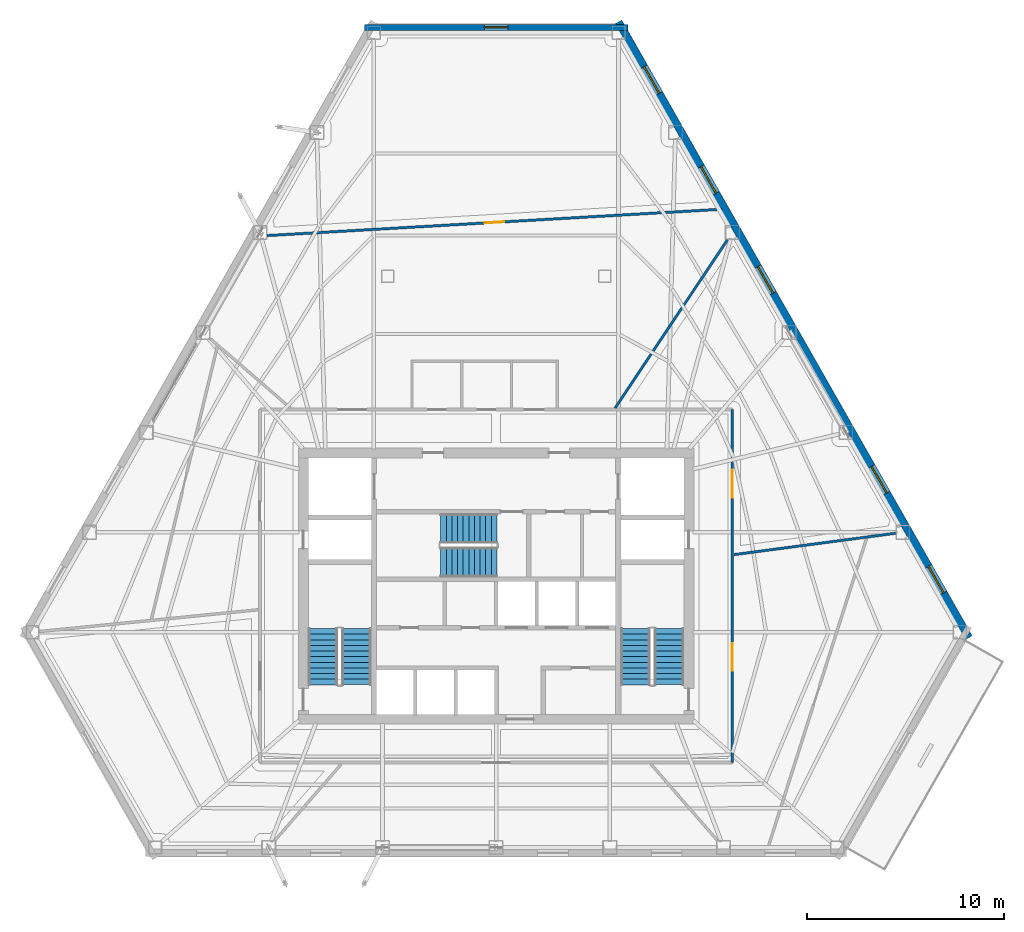
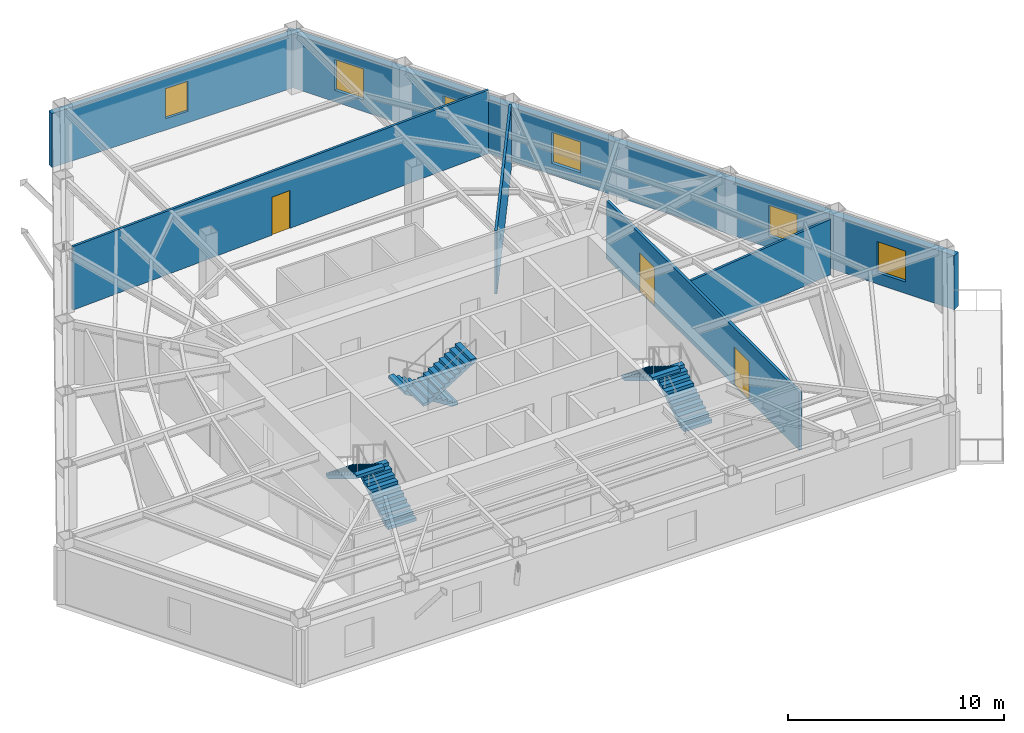
# One storey, part 9 of 12: 6 stair flights, 6 walls, 6 windows, 3 doors, 9 openings, 3 elements without a shape of their own.
"""IFC4 building model written with IfcOpenShell, lengths in metres."""

from ifc_helpers import new_model, si_unit, direction, frame, frame_2d, origin, place, context, subcontext, project, spatial, polyline, rectangle, outline, extrude, material, layer, layer_set, type_object, element, fill, aggregate, save


model = new_model("IFC4")

# Units and contexts
model_context = context("Model", 3, precision=1e-05, world=origin(), true_north=direction((0.0, 1.0)))
body_context = subcontext(model_context, "Body", "Model", "MODEL_VIEW")
ifc_project = project(units=[si_unit("LENGTHUNIT", "METRE"), si_unit("AREAUNIT", "SQUARE_METRE"), si_unit("VOLUMEUNIT", "CUBIC_METRE"), si_unit("PLANEANGLEUNIT", "RADIAN"), si_unit("MASSUNIT", "GRAM", prefix="KILO")], contexts=[model_context])

# Site, building, storey
site_placement = place(None, origin())
site = spatial("IfcSite", under=ifc_project, at=site_placement, CompositionType="ELEMENT")
building_placement = place(site_placement, origin())
building = spatial("IfcBuilding", under=site, at=building_placement, Name="Kavelnor Concourse Tower", CompositionType="ELEMENT")
storey_placement = place(building_placement, frame((0.0, 0.0, 93.199951171875)))
storey = spatial("IfcBuildingStorey", under=building, at=storey_placement, Name="L23", CompositionType="ELEMENT", Elevation=93.199951171875)

# Wall, opening, window
ifc_material_1 = material(Name="Buff ironspot clay face brick masonry", Category="masonry")
ifc_layer_1 = layer(ifc_material_1, 0.300048828125, Name="Buff ironspot clay face brick masonry")
ifc_layer_set_1 = layer_set([ifc_layer_1], Name="Buff ironspot clay face brick masonry")
wall_type_1 = type_object("IfcWallType", Name="WL-EXT-BUFF-BRICK-FOLD-300", PredefinedType="STANDARD", material=ifc_layer_set_1)
wall_1_placement = place(storey_placement, frame((31.3154296875, 44.41943359375, 0.0), z_axis=(0.0, 0.0, 1.0), x_axis=(1.0, 0.0, 0.0)))
wall_1 = element("IfcWall", 1, at=wall_1_placement, inside=storey, type_object=wall_type_1, Name="L23 Exterior Brick Facade Wall E0", PredefinedType="STANDARD", context=body_context, shape_type="SweptSolid", body=[
    extrude(rectangle(XDim=13.369140625, YDim=0.300048828125, at=frame_2d((6.6845703125, 0.0))), origin(), (0.0, 0.0, 1.0), 3.05908203125),
])
opening_1_placement = place(wall_1_placement, frame((6.08447265625, 0.0, 0.64990234375)))
opening_1 = element("IfcOpeningElement", 2, at=opening_1_placement, cuts=wall_1, Name="Opening W-05", PredefinedType="OPENING", context=body_context, shape_type="SweptSolid", body=[
    extrude(rectangle(XDim=1.199951171875, YDim=1.699951171875, at=frame_2d((0.60009765625, 0.85009765625))), frame((0.0, 0.16015625, 0.0), z_axis=(0.0, -1.0, 0.0), x_axis=(1.0, 0.0, 0.0)), (0.0, 0.0, 1.0), 0.320068359375),
])
ifc_material_2 = material(Name="Double low-E argon insulated glazing", Category="glass")
window_type_1 = type_object("IfcWindowType", Name="WIN-FOLD-1200", PartitioningType="SINGLE_PANEL", PredefinedType="WINDOW", material=ifc_material_2)
window_1_placement = place(opening_1_placement, origin())
window_1 = element("IfcWindow", 3, at=window_1_placement, inside=storey, type_object=window_type_1, Name="L23 Chamfer-Fold Facet Window C0", OverallHeight=1.699951171875, OverallWidth=1.199951171875, PartitioningType="SINGLE_PANEL", PredefinedType="WINDOW", context=body_context, shape_type="SweptSolid", body=[
    extrude(rectangle(XDim=1.199951171875, YDim=1.699951171875, at=frame_2d((0.60009765625, 0.85009765625))), frame((0.0, 0.030029296875, 0.0), z_axis=(0.0, -1.0, 0.0), x_axis=(1.0, 0.0, 0.0)), (0.0, 0.0, 1.0), 0.06005859375),
])
fill(opening_1, window_1)

# Wall, openings, windows
ifc_material_3 = material(Name="Red-ochre clay face brick masonry", Category="masonry")
ifc_layer_2 = layer(ifc_material_3, 0.3798828125, Name="Red-ochre clay face brick masonry")
ifc_layer_set_2 = layer_set([ifc_layer_2], Name="Red-ochre clay face brick masonry")
wall_type_2 = type_object("IfcWallType", Name="WL-EXT-RED-BRICK-PIER-380", PredefinedType="STANDARD", material=ifc_layer_set_2)
wall_2_placement = place(storey_placement, frame((44.203125, 44.699462890625, 0.0), z_axis=(0.0, 0.0, 1.0), x_axis=(0.494642620698, -0.869096472084, 0.0)))
wall_2 = element("IfcWall", 4, at=wall_2_placement, inside=storey, type_object=wall_type_2, Name="L23 Exterior Brick Facade Wall E5", PredefinedType="STANDARD", context=body_context, shape_type="SweptSolid", body=[
    extrude(rectangle(XDim=35.91552734375, YDim=0.3798828125, at=frame_2d((17.957763671875, 0.0))), origin(), (0.0, 0.0, 1.0), 3.05908203125),
])
opening_2_placement = place(wall_2_placement, frame((31.753662109375, 0.0, 0.64990234375)))
opening_2 = element("IfcOpeningElement", 5, at=opening_2_placement, cuts=wall_2, Name="Opening W-02", PredefinedType="OPENING", context=body_context, shape_type="SweptSolid", body=[
    extrude(rectangle(XDim=1.550048828125, YDim=1.75, at=frame_2d((0.77490234375, 0.875))), frame((0.0, 0.199951171875, 0.0), z_axis=(0.0, -1.0, 0.0), x_axis=(1.0, 0.0, 0.0)), (0.0, 0.0, 1.0), 0.39990234375),
])
opening_3_placement = place(wall_2_placement, frame((25.926513671875, 0.0, 0.64990234375)))
opening_3 = element("IfcOpeningElement", 6, at=opening_3_placement, cuts=wall_2, Name="Opening W-02", PredefinedType="OPENING", context=body_context, shape_type="SweptSolid", body=[
    extrude(rectangle(XDim=1.550048828125, YDim=1.75, at=frame_2d((0.77490234375, 0.875))), frame((0.0, 0.199951171875, 0.0), z_axis=(0.0, -1.0, 0.0), x_axis=(1.0, 0.0, 0.0)), (0.0, 0.0, 1.0), 0.39990234375),
])
opening_4_placement = place(wall_2_placement, frame((14.272216796875, 0.0, 0.64990234375)))
opening_4 = element("IfcOpeningElement", 7, at=opening_4_placement, cuts=wall_2, Name="Opening W-02", PredefinedType="OPENING", context=body_context, shape_type="SweptSolid", body=[
    extrude(rectangle(XDim=1.550048828125, YDim=1.75, at=frame_2d((0.77490234375, 0.875))), frame((0.0, 0.199951171875, 0.0), z_axis=(0.0, -1.0, 0.0), x_axis=(1.0, 0.0, 0.0)), (0.0, 0.0, 1.0), 0.39990234375),
])
opening_5_placement = place(wall_2_placement, frame((8.44482421875, 0.0, 0.64990234375)))
opening_5 = element("IfcOpeningElement", 8, at=opening_5_placement, cuts=wall_2, Name="Opening W-02", PredefinedType="OPENING", context=body_context, shape_type="SweptSolid", body=[
    extrude(rectangle(XDim=1.550048828125, YDim=1.75, at=frame_2d((0.77490234375, 0.875))), frame((0.0, 0.199951171875, 0.0), z_axis=(0.0, -1.0, 0.0), x_axis=(1.0, 0.0, 0.0)), (0.0, 0.0, 1.0), 0.39990234375),
])
opening_6_placement = place(wall_2_placement, frame((2.61767578125, 0.0, 0.64990234375)))
opening_6 = element("IfcOpeningElement", 9, at=opening_6_placement, cuts=wall_2, Name="Opening W-02", PredefinedType="OPENING", context=body_context, shape_type="SweptSolid", body=[
    extrude(rectangle(XDim=1.550048828125, YDim=1.75, at=frame_2d((0.77490234375, 0.875))), frame((0.0, 0.199951171875, 0.0), z_axis=(0.0, -1.0, 0.0), x_axis=(1.0, 0.0, 0.0)), (0.0, 0.0, 1.0), 0.39990234375),
])
window_type_2 = type_object("IfcWindowType", Name="WIN-PIER-Z2-1650", PartitioningType="SINGLE_PANEL", PredefinedType="WINDOW", material=ifc_material_2)
window_2_placement = place(opening_2_placement, origin())
window_2 = element("IfcWindow", 10, at=window_2_placement, inside=storey, type_object=window_type_2, Name="L23 Deep-Set Brick Pier Window F2-B0", OverallHeight=1.75, OverallWidth=1.550048828125, PartitioningType="SINGLE_PANEL", PredefinedType="WINDOW", context=body_context, shape_type="SweptSolid", body=[
    extrude(rectangle(XDim=1.550048828125, YDim=1.75, at=frame_2d((0.77490234375, 0.875))), frame((0.0, 0.030029296875, 0.0), z_axis=(0.0, -1.0, 0.0), x_axis=(1.0, 0.0, 0.0)), (0.0, 0.0, 1.0), 0.06005859375),
])
fill(opening_2, window_2)
window_3_placement = place(opening_3_placement, origin())
window_3 = element("IfcWindow", 11, at=window_3_placement, inside=storey, type_object=window_type_2, Name="L23 Deep-Set Brick Pier Window F2-B1", OverallHeight=1.75, OverallWidth=1.550048828125, PartitioningType="SINGLE_PANEL", PredefinedType="WINDOW", context=body_context, shape_type="SweptSolid", body=[
    extrude(rectangle(XDim=1.550048828125, YDim=1.75, at=frame_2d((0.77490234375, 0.875))), frame((0.0, 0.030029296875, 0.0), z_axis=(0.0, -1.0, 0.0), x_axis=(1.0, 0.0, 0.0)), (0.0, 0.0, 1.0), 0.06005859375),
])
fill(opening_3, window_3)
window_4_placement = place(opening_4_placement, origin())
window_4 = element("IfcWindow", 12, at=window_4_placement, inside=storey, type_object=window_type_2, Name="L23 Deep-Set Brick Pier Window F2-B3", OverallHeight=1.75, OverallWidth=1.550048828125, PartitioningType="SINGLE_PANEL", PredefinedType="WINDOW", context=body_context, shape_type="SweptSolid", body=[
    extrude(rectangle(XDim=1.550048828125, YDim=1.75, at=frame_2d((0.77490234375, 0.875))), frame((0.0, 0.030029296875, 0.0), z_axis=(0.0, -1.0, 0.0), x_axis=(1.0, 0.0, 0.0)), (0.0, 0.0, 1.0), 0.06005859375),
])
fill(opening_4, window_4)
window_5_placement = place(opening_5_placement, origin())
window_5 = element("IfcWindow", 13, at=window_5_placement, inside=storey, type_object=window_type_2, Name="L23 Deep-Set Brick Pier Window F2-B4", OverallHeight=1.75, OverallWidth=1.550048828125, PartitioningType="SINGLE_PANEL", PredefinedType="WINDOW", context=body_context, shape_type="SweptSolid", body=[
    extrude(rectangle(XDim=1.550048828125, YDim=1.75, at=frame_2d((0.77490234375, 0.875))), frame((0.0, 0.030029296875, 0.0), z_axis=(0.0, -1.0, 0.0), x_axis=(1.0, 0.0, 0.0)), (0.0, 0.0, 1.0), 0.06005859375),
])
fill(opening_5, window_5)
window_6_placement = place(opening_6_placement, origin())
window_6 = element("IfcWindow", 14, at=window_6_placement, inside=storey, type_object=window_type_2, Name="L23 Deep-Set Brick Pier Window F2-B5", OverallHeight=1.75, OverallWidth=1.550048828125, PartitioningType="SINGLE_PANEL", PredefinedType="WINDOW", context=body_context, shape_type="SweptSolid", body=[
    extrude(rectangle(XDim=1.550048828125, YDim=1.75, at=frame_2d((0.77490234375, 0.875))), frame((0.0, 0.030029296875, 0.0), z_axis=(0.0, -1.0, 0.0), x_axis=(1.0, 0.0, 0.0)), (0.0, 0.0, 1.0), 0.06005859375),
])
fill(opening_6, window_6)

# Wall, openings, doors
ifc_material_4 = material(Name="Gypsum plasterboard on light-gauge steel studs", Category="steel")
ifc_layer_3 = layer(ifc_material_4, 0.14501953125, Name="Gypsum plasterboard on light-gauge steel studs")
ifc_layer_set_3 = layer_set([ifc_layer_3], Name="Gypsum plasterboard on light-gauge steel studs")
wall_type_3 = type_object("IfcWallType", Name="WL-INT-CORR-145", PredefinedType="PARTITIONING", material=ifc_layer_set_3)
wall_3_placement = place(storey_placement, frame((49.969970703125, 7.14990234375, 0.0), z_axis=(0.0, 0.0, 1.0), x_axis=(0.0, 1.0, 0.0)))
wall_3 = element("IfcWall", 15, at=wall_3_placement, inside=storey, type_object=wall_type_3, Name="L23 Corridor Wall WL-L23-CR-01", PredefinedType="PARTITIONING", context=body_context, shape_type="SweptSolid", body=[
    extrude(rectangle(XDim=17.900146484375, YDim=0.14501953125, at=frame_2d((8.9501953125, 0.0))), origin(), (0.0, 0.0, 1.0), 3.2880859375),
])
opening_7_placement = place(wall_3_placement, frame((13.43701171875, 0.0, 0.0)))
opening_7 = element("IfcOpeningElement", 16, at=opening_7_placement, cuts=wall_3, Name="Opening SD-140", PredefinedType="OPENING", context=body_context, shape_type="SweptSolid", body=[
    extrude(rectangle(XDim=1.39990234375, YDim=2.199951171875, at=frame_2d((0.699951171875, 1.10009765625))), frame((0.0, 0.08251953125, 0.0), z_axis=(0.0, -1.0, 0.0), x_axis=(1.0, 0.0, 0.0)), (0.0, 0.0, 1.0), 0.1650390625),
])
opening_8_placement = place(wall_3_placement, frame((4.65771484375, 0.0, 0.0)))
opening_8 = element("IfcOpeningElement", 17, at=opening_8_placement, cuts=wall_3, Name="Opening SD-140", PredefinedType="OPENING", context=body_context, shape_type="SweptSolid", body=[
    extrude(rectangle(XDim=1.39990234375, YDim=2.199951171875, at=frame_2d((0.699951171875, 1.10009765625))), frame((0.0, 0.08251953125, 0.0), z_axis=(0.0, -1.0, 0.0), x_axis=(1.0, 0.0, 0.0)), (0.0, 0.0, 1.0), 0.1650390625),
])
ifc_material_5 = material(Name="Solid-core hardwood timber", Category="wood")
door_type_1 = type_object("IfcDoorType", Name="DR-SUITE-ENTRY-1400", OperationType="NOTDEFINED", PredefinedType="DOOR", material=ifc_material_5)
door_1_placement = place(opening_7_placement, origin())
door_1 = element("IfcDoor", 18, at=door_1_placement, inside=storey, type_object=door_type_1, Name="L23 Building Staff Breakroom 01 Door", OperationType="SINGLE_SWING_LEFT", OverallHeight=2.199951171875, OverallWidth=1.39990234375, PredefinedType="DOOR", context=body_context, shape_type="SweptSolid", body=[
    extrude(rectangle(XDim=1.39990234375, YDim=2.199951171875, at=frame_2d((0.699951171875, 1.10009765625))), frame((0.0, 0.02490234375, 0.0), z_axis=(0.0, -1.0, 0.0), x_axis=(1.0, 0.0, 0.0)), (0.0, 0.0, 1.0), 0.050048828125),
])
fill(opening_7, door_1)
door_2_placement = place(opening_8_placement, origin())
door_2 = element("IfcDoor", 19, at=door_2_placement, inside=storey, type_object=door_type_1, Name="L23 Tenant Bookstore Retail Shop 08 Door", OperationType="SINGLE_SWING_RIGHT", OverallHeight=2.199951171875, OverallWidth=1.39990234375, PredefinedType="DOOR", context=body_context, shape_type="SweptSolid", body=[
    extrude(rectangle(XDim=1.39990234375, YDim=2.199951171875, at=frame_2d((0.699951171875, 1.10009765625))), frame((0.0, 0.02490234375, 0.0), z_axis=(0.0, -1.0, 0.0), x_axis=(1.0, 0.0, 0.0)), (0.0, 0.0, 1.0), 0.050048828125),
])
fill(opening_8, door_2)

# Walls
ifc_layer_4 = layer(ifc_material_4, 0.125, Name="Gypsum plasterboard on light-gauge steel studs")
ifc_layer_set_4 = layer_set([ifc_layer_4], Name="Gypsum plasterboard on light-gauge steel studs")
wall_type_4 = type_object("IfcWallType", Name="WL-INT-SUITE-125", PredefinedType="PARTITIONING", material=ifc_layer_set_4)
wall_4_placement = place(storey_placement, frame((50.050537109375, 17.694091796875, 0.0), z_axis=(0.0, 0.0, 1.0), x_axis=(0.991361202235, 0.131160080446, 0.0)))
element("IfcWall", 20, at=wall_4_placement, inside=storey, type_object=wall_type_4, Name="L23 Radial Suite Partition 01", PredefinedType="PARTITIONING", context=body_context, shape_type="SweptSolid", body=[
    extrude(rectangle(XDim=8.270263671875, YDim=0.125, at=frame_2d((4.13525390625, 0.0))), origin(), (0.0, 0.0, 1.0), 3.14111328125),
])
wall_5_placement = place(storey_placement, frame((44.031982421875, 25.130615234375, 0.0), z_axis=(0.0, 0.0, 1.0), x_axis=(0.555447635276, 0.831551516424, 0.0)))
element("IfcWall", 21, at=wall_5_placement, inside=storey, type_object=wall_type_4, Name="L23 Radial Suite Partition 02", PredefinedType="PARTITIONING", context=body_context, shape_type="SweptSolid", body=[
    extrude(rectangle(XDim=10.248291015625, YDim=0.125, at=frame_2d((5.1240234375, 0.0))), origin(), (0.0, 0.0, 1.0), 3.60009765625),
])

# Wall, opening, door
wall_6_placement = place(storey_placement, frame((49.435791015625, 35.2021484375, 0.0), z_axis=(0.0, 0.0, 1.0), x_axis=(-0.998321077016, -0.057922596506, 0.0)))
wall_6 = element("IfcWall", 22, at=wall_6_placement, inside=storey, type_object=wall_type_4, Name="L23 Suite Subdivision Partition 02", PredefinedType="PARTITIONING", context=body_context, shape_type="SweptSolid", body=[
    extrude(rectangle(XDim=23.076904296875, YDim=0.125, at=frame_2d((11.53857421875, 0.0))), origin(), (0.0, 0.0, 1.0), 3.60009765625),
])
opening_9_placement = place(wall_6_placement, frame((11.04833984375, 0.0, 0.0)))
opening_9 = element("IfcOpeningElement", 23, at=opening_9_placement, cuts=wall_6, Name="Opening OD-098", PredefinedType="OPENING", context=body_context, shape_type="SweptSolid", body=[
    extrude(rectangle(XDim=0.97998046875, YDim=2.14990234375, at=frame_2d((0.489990234375, 1.074951171875))), frame((0.0, 0.072509765625, 0.0), z_axis=(0.0, -1.0, 0.0), x_axis=(1.0, 0.0, 0.0)), (0.0, 0.0, 1.0), 0.14501953125),
])
door_type_2 = type_object("IfcDoorType", Name="DR-OFFICE-980", OperationType="NOTDEFINED", PredefinedType="DOOR", material=ifc_material_5)
door_3_placement = place(opening_9_placement, origin())
door_3 = element("IfcDoor", 24, at=door_3_placement, inside=storey, type_object=door_type_2, Name="L23 Executive Dining Room 03 Door", OperationType="SINGLE_SWING_LEFT", OverallHeight=2.14990234375, OverallWidth=0.97998046875, PredefinedType="DOOR", context=body_context, shape_type="SweptSolid", body=[
    extrude(rectangle(XDim=0.97998046875, YDim=2.14990234375, at=frame_2d((0.489990234375, 1.074951171875))), frame((0.0, 0.02490234375, 0.0), z_axis=(0.0, -1.0, 0.0), x_axis=(1.0, 0.0, 0.0)), (0.0, 0.0, 1.0), 0.050048828125),
])
fill(opening_9, door_3)

# Stair, stair flights
ifc_material_6 = material(Name="Concrete C40/50", Category="concrete")
stair_type = type_object("IfcStairType", Name="STR-CORE-1500", PredefinedType="HALF_TURN_STAIR", material=ifc_material_6)
stair_1_placement = place(storey_placement, origin())
stair_1 = element("IfcStair", 25, at=stair_1_placement, inside=storey, type_object=stair_type, Name="L23 ST1", PredefinedType="HALF_TURN_STAIR")
stair_flight_type = type_object("IfcStairFlightType", Name="STR-FLIGHT-1500", PredefinedType="STRAIGHT", material=ifc_material_6)
stair_flight_1_placement = place(storey_placement, frame((30.929931640625, 11.10009765625, 0.0), z_axis=(0.0, 0.0, 1.0), x_axis=(0.0, 1.0, 0.0)))
stair_flight_1 = element("IfcStairFlight", 26, at=stair_flight_1_placement, type_object=stair_flight_type, Name="ST1 flight 1", NumberOfRisers=11, NumberOfTreads=10, PredefinedType="STRAIGHT", RiserHeight=0.175, TreadLength=0.285, context=body_context, shape_type="SweptSolid", body=[
    extrude(outline(polyline([(0.0, 0.0), (0.0, 0.175048828125), (0.284912109375, 0.175048828125), (0.284912109375, 0.35009765625), (0.570068359375, 0.35009765625), (0.570068359375, 0.52490234375), (0.85498046875, 0.52490234375), (0.85498046875, 0.699951171875), (1.139892578125, 0.699951171875), (1.139892578125, 0.875), (1.425048828125, 0.875), (1.425048828125, 1.050048828125), (1.7099609375, 1.050048828125), (1.7099609375, 1.22509765625), (1.9951171875, 1.22509765625), (1.9951171875, 1.39990234375), (2.280029296875, 1.39990234375), (2.280029296875, 1.574951171875), (2.56494140625, 1.574951171875), (2.56494140625, 1.75), (2.85009765625, 1.75), (2.85009765625, 1.925048828125), (2.85009765625, 1.573974609375), (0.286376953125, 0.0), (0.0, 0.0)])), frame((0.0, 0.75, 0.0), z_axis=(0.0, -1.0, 0.0), x_axis=(1.0, 0.0, 0.0)), (0.0, 0.0, 1.0), 1.5),
])
stair_flight_2_placement = place(storey_placement, frame((29.22998046875, 13.949951171875, 1.925048828125), z_axis=(0.0, 0.0, 1.0), x_axis=(0.0, -1.0, 0.0)))
stair_flight_2 = element("IfcStairFlight", 27, at=stair_flight_2_placement, type_object=stair_flight_type, Name="ST1 flight 2", NumberOfRisers=11, NumberOfTreads=10, PredefinedType="STRAIGHT", RiserHeight=0.175, TreadLength=0.285, context=body_context, shape_type="SweptSolid", body=[
    extrude(outline(polyline([(0.0, 0.0), (0.0, 0.175048828125), (0.284912109375, 0.175048828125), (0.284912109375, 0.35009765625), (0.570068359375, 0.35009765625), (0.570068359375, 0.52490234375), (0.85498046875, 0.52490234375), (0.85498046875, 0.699951171875), (1.139892578125, 0.699951171875), (1.139892578125, 0.875), (1.425048828125, 0.875), (1.425048828125, 1.050048828125), (1.7099609375, 1.050048828125), (1.7099609375, 1.22509765625), (1.9951171875, 1.22509765625), (1.9951171875, 1.39990234375), (2.280029296875, 1.39990234375), (2.280029296875, 1.574951171875), (2.56494140625, 1.574951171875), (2.56494140625, 1.75), (2.85009765625, 1.75), (2.85009765625, 1.925048828125), (2.85009765625, 1.573974609375), (0.286376953125, 0.0), (0.0, 0.0)])), frame((0.0, 0.75, 0.0), z_axis=(0.0, -1.0, 0.0), x_axis=(1.0, 0.0, 0.0)), (0.0, 0.0, 1.0), 1.5),
])
aggregate(stair_1, [stair_flight_1, stair_flight_2])

stair_2_placement = place(storey_placement, origin())
stair_2 = element("IfcStair", 28, at=stair_2_placement, inside=storey, type_object=stair_type, Name="L23 ST2", PredefinedType="HALF_TURN_STAIR")
stair_flight_3_placement = place(storey_placement, frame((46.77001953125, 11.10009765625, 0.0), z_axis=(0.0, 0.0, 1.0), x_axis=(0.0, 1.0, 0.0)))
stair_flight_3 = element("IfcStairFlight", 29, at=stair_flight_3_placement, type_object=stair_flight_type, Name="ST2 flight 1", NumberOfRisers=11, NumberOfTreads=10, PredefinedType="STRAIGHT", RiserHeight=0.175, TreadLength=0.285, context=body_context, shape_type="SweptSolid", body=[
    extrude(outline(polyline([(0.0, 0.0), (0.0, 0.175048828125), (0.284912109375, 0.175048828125), (0.284912109375, 0.35009765625), (0.570068359375, 0.35009765625), (0.570068359375, 0.52490234375), (0.85498046875, 0.52490234375), (0.85498046875, 0.699951171875), (1.139892578125, 0.699951171875), (1.139892578125, 0.875), (1.425048828125, 0.875), (1.425048828125, 1.050048828125), (1.7099609375, 1.050048828125), (1.7099609375, 1.22509765625), (1.9951171875, 1.22509765625), (1.9951171875, 1.39990234375), (2.280029296875, 1.39990234375), (2.280029296875, 1.574951171875), (2.56494140625, 1.574951171875), (2.56494140625, 1.75), (2.85009765625, 1.75), (2.85009765625, 1.925048828125), (2.85009765625, 1.573974609375), (0.286376953125, 0.0), (0.0, 0.0)])), frame((0.0, 0.75, 0.0), z_axis=(0.0, -1.0, 0.0), x_axis=(1.0, 0.0, 0.0)), (0.0, 0.0, 1.0), 1.5),
])
stair_flight_4_placement = place(storey_placement, frame((45.070068359375, 13.949951171875, 1.925048828125), z_axis=(0.0, 0.0, 1.0), x_axis=(0.0, -1.0, 0.0)))
stair_flight_4 = element("IfcStairFlight", 30, at=stair_flight_4_placement, type_object=stair_flight_type, Name="ST2 flight 2", NumberOfRisers=11, NumberOfTreads=10, PredefinedType="STRAIGHT", RiserHeight=0.175, TreadLength=0.285, context=body_context, shape_type="SweptSolid", body=[
    extrude(outline(polyline([(0.0, 0.0), (0.0, 0.175048828125), (0.284912109375, 0.175048828125), (0.284912109375, 0.35009765625), (0.570068359375, 0.35009765625), (0.570068359375, 0.52490234375), (0.85498046875, 0.52490234375), (0.85498046875, 0.699951171875), (1.139892578125, 0.699951171875), (1.139892578125, 0.875), (1.425048828125, 0.875), (1.425048828125, 1.050048828125), (1.7099609375, 1.050048828125), (1.7099609375, 1.22509765625), (1.9951171875, 1.22509765625), (1.9951171875, 1.39990234375), (2.280029296875, 1.39990234375), (2.280029296875, 1.574951171875), (2.56494140625, 1.574951171875), (2.56494140625, 1.75), (2.85009765625, 1.75), (2.85009765625, 1.925048828125), (2.85009765625, 1.573974609375), (0.286376953125, 0.0), (0.0, 0.0)])), frame((0.0, 0.75, 0.0), z_axis=(0.0, -1.0, 0.0), x_axis=(1.0, 0.0, 0.0)), (0.0, 0.0, 1.0), 1.5),
])
aggregate(stair_2, [stair_flight_3, stair_flight_4])

stair_3_placement = place(storey_placement, origin())
stair_3 = element("IfcStair", 31, at=stair_3_placement, inside=storey, type_object=stair_type, Name="L23 ST3", PredefinedType="HALF_TURN_STAIR")
stair_flight_5_placement = place(storey_placement, frame((38.0400390625, 19.010009765625, 0.0), z_axis=(0.0, 0.0, 1.0), x_axis=(-1.0, 0.0, 0.0)))
stair_flight_5 = element("IfcStairFlight", 32, at=stair_flight_5_placement, type_object=stair_flight_type, Name="ST3 flight 1", NumberOfRisers=11, NumberOfTreads=10, PredefinedType="STRAIGHT", RiserHeight=0.175, TreadLength=0.285, context=body_context, shape_type="SweptSolid", body=[
    extrude(outline(polyline([(0.0, 0.0), (0.0, 0.175048828125), (0.284912109375, 0.175048828125), (0.284912109375, 0.35009765625), (0.570068359375, 0.35009765625), (0.570068359375, 0.52490234375), (0.85498046875, 0.52490234375), (0.85498046875, 0.699951171875), (1.139892578125, 0.699951171875), (1.139892578125, 0.875), (1.425048828125, 0.875), (1.425048828125, 1.050048828125), (1.7099609375, 1.050048828125), (1.7099609375, 1.22509765625), (1.9951171875, 1.22509765625), (1.9951171875, 1.39990234375), (2.280029296875, 1.39990234375), (2.280029296875, 1.574951171875), (2.56494140625, 1.574951171875), (2.56494140625, 1.75), (2.85009765625, 1.75), (2.85009765625, 1.925048828125), (2.85009765625, 1.573974609375), (0.286376953125, 0.0), (0.0, 0.0)])), frame((0.0, 0.75, 0.0), z_axis=(0.0, -1.0, 0.0), x_axis=(1.0, 0.0, 0.0)), (0.0, 0.0, 1.0), 1.5),
])
stair_flight_6_placement = place(storey_placement, frame((35.18994140625, 17.31005859375, 1.925048828125), z_axis=(0.0, 0.0, 1.0), x_axis=(1.0, 0.0, 0.0)))
stair_flight_6 = element("IfcStairFlight", 33, at=stair_flight_6_placement, type_object=stair_flight_type, Name="ST3 flight 2", NumberOfRisers=11, NumberOfTreads=10, PredefinedType="STRAIGHT", RiserHeight=0.175, TreadLength=0.285, context=body_context, shape_type="SweptSolid", body=[
    extrude(outline(polyline([(0.0, 0.0), (0.0, 0.175048828125), (0.284912109375, 0.175048828125), (0.284912109375, 0.35009765625), (0.570068359375, 0.35009765625), (0.570068359375, 0.52490234375), (0.85498046875, 0.52490234375), (0.85498046875, 0.699951171875), (1.139892578125, 0.699951171875), (1.139892578125, 0.875), (1.425048828125, 0.875), (1.425048828125, 1.050048828125), (1.7099609375, 1.050048828125), (1.7099609375, 1.22509765625), (1.9951171875, 1.22509765625), (1.9951171875, 1.39990234375), (2.280029296875, 1.39990234375), (2.280029296875, 1.574951171875), (2.56494140625, 1.574951171875), (2.56494140625, 1.75), (2.85009765625, 1.75), (2.85009765625, 1.925048828125), (2.85009765625, 1.573974609375), (0.286376953125, 0.0), (0.0, 0.0)])), frame((0.0, 0.75, 0.0), z_axis=(0.0, -1.0, 0.0), x_axis=(1.0, 0.0, 0.0)), (0.0, 0.0, 1.0), 1.5),
])
aggregate(stair_3, [stair_flight_5, stair_flight_6])

save(model, "model.ifc")
